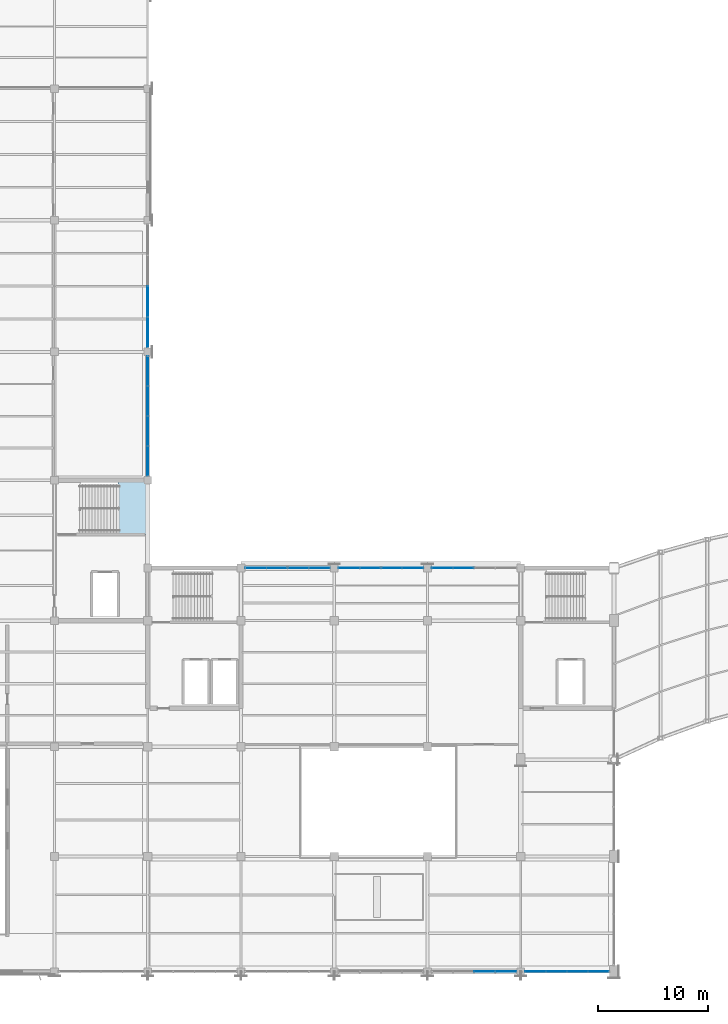
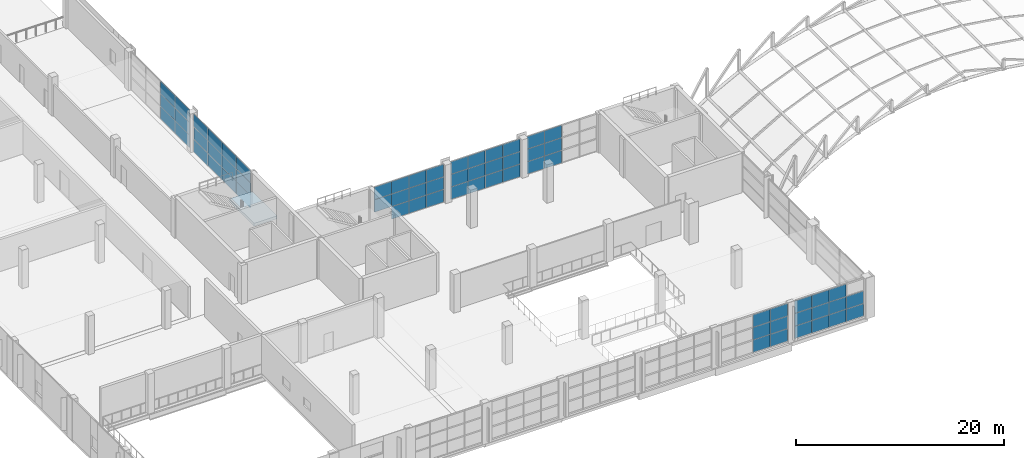
# One storey, part 77 of 101: 64 plates, 1 slab, 8 elements without a shape of their own.
"""IFC4 building model written with IfcOpenShell, lengths in metres."""

from ifc_helpers import new_model, si_unit, direction, frame, origin, origin_2d, place, context, subcontext, project, spatial, polyline, rectangle, outline, extrude, material, layer, layer_set, type_object, element, aggregate, save


model = new_model("IFC4")

# Units and contexts
model_context = context("Model", 3, precision=1e-05, world=origin(), true_north=direction((0.0, 1.0)))
body_context = subcontext(model_context, "Body", "Model", "MODEL_VIEW")
ifc_project = project(units=[si_unit("LENGTHUNIT", "METRE"), si_unit("AREAUNIT", "SQUARE_METRE"), si_unit("VOLUMEUNIT", "CUBIC_METRE"), si_unit("PLANEANGLEUNIT", "RADIAN"), si_unit("MASSUNIT", "GRAM", prefix="KILO")], contexts=[model_context])

# Site, building, storey
site_placement = place(None, origin())
site = spatial("IfcSite", under=ifc_project, at=site_placement, CompositionType="ELEMENT")
building_placement = place(site_placement, origin())
building = spatial("IfcBuilding", under=site, at=building_placement, Name="Solvikara Media Centre", CompositionType="ELEMENT")
storey_placement = place(building_placement, frame((0.0, 0.0, 10.199951171875)))
storey = spatial("IfcBuildingStorey", under=building, at=storey_placement, Name="L02", CompositionType="ELEMENT", Elevation=10.199951171875)

# Curtain wall, plates
ifc_material_1 = material(Name="Anodised aluminium EN AW-6063", Category="aluminium")
curtain_wall_type_1 = type_object("IfcCurtainWallType", Name="CW-04", PredefinedType="NOTDEFINED", material=ifc_material_1)
curtain_wall_1_placement = place(storey_placement, origin())
curtain_wall_1 = element("IfcCurtainWall", 1, at=curtain_wall_1_placement, inside=storey, type_object=curtain_wall_type_1, Name="CW-L02-V6S-4", PredefinedType="NOTDEFINED")
ifc_material_2 = material(Name="Double-glazed low-E architectural glass", Category="glass")
ifc_layer_1 = layer(ifc_material_2, 0.035888671875)
ifc_layer_set_1 = layer_set([ifc_layer_1], Name="Double-glazed low-E architectural glass")
plate_type_1 = type_object("IfcPlateType", Name="PN-06", PredefinedType="CURTAIN_PANEL", material=ifc_layer_set_1)
plate_1_placement = place(storey_placement, frame((64.715087890625, 0.0, 0.034423828125), z_axis=(0.0, 0.0, 1.0), x_axis=(1.0, 0.0, 0.0)))
plate_1 = element("IfcPlate", 2, at=plate_1_placement, type_object=plate_type_1, Name="CW-L02-V6S-4-P0200", PredefinedType="CURTAIN_PANEL", context=body_context, shape_type="SweptSolid", body=[
    extrude(rectangle(XDim=1.89990234375, YDim=0.035888671875, at=origin_2d()), origin(), (0.0, 0.0, 1.0), 1.45703125),
])
plate_2_placement = place(storey_placement, frame((64.715087890625, 0.0, 3.008544921875), z_axis=(0.0, 0.0, 1.0), x_axis=(1.0, 0.0, 0.0)))
plate_2 = element("IfcPlate", 3, at=plate_2_placement, type_object=plate_type_1, Name="CW-L02-V6S-4-P0202", PredefinedType="CURTAIN_PANEL", context=body_context, shape_type="SweptSolid", body=[
    extrude(rectangle(XDim=1.89990234375, YDim=0.035888671875, at=origin_2d()), origin(), (0.0, 0.0, 1.0), 1.45703125),
])
plate_3_placement = place(storey_placement, frame((66.64501953125, 0.0, 1.521484375), z_axis=(0.0, 0.0, 1.0), x_axis=(1.0, 0.0, 0.0)))
plate_3 = element("IfcPlate", 4, at=plate_3_placement, type_object=plate_type_1, Name="CW-L02-V6S-4-P0301", PredefinedType="CURTAIN_PANEL", context=body_context, shape_type="SweptSolid", body=[
    extrude(rectangle(XDim=1.89990234375, YDim=0.035888671875, at=origin_2d()), origin(), (0.0, 0.0, 1.0), 1.45703125),
])

curtain_wall_2_placement = place(storey_placement, origin())
curtain_wall_2 = element("IfcCurtainWall", 5, at=curtain_wall_2_placement, inside=storey, type_object=curtain_wall_type_1, Name="CW-L02-V6S-5", PredefinedType="NOTDEFINED")
plate_4_placement = place(storey_placement, frame((69.34912109375, 0.0, 0.034423828125), z_axis=(0.0, 0.0, 1.0), x_axis=(1.0, 0.0, 0.0)))
plate_4 = element("IfcPlate", 6, at=plate_4_placement, type_object=plate_type_1, Name="CW-L02-V6S-5-P0000", PredefinedType="CURTAIN_PANEL", context=body_context, shape_type="SweptSolid", body=[
    extrude(rectangle(XDim=1.887939453125, YDim=0.035888671875, at=origin_2d()), origin(), (0.0, 0.0, 1.0), 1.45703125),
])
plate_5_placement = place(storey_placement, frame((69.34912109375, 0.0, 3.008544921875), z_axis=(0.0, 0.0, 1.0), x_axis=(1.0, 0.0, 0.0)))
plate_5 = element("IfcPlate", 7, at=plate_5_placement, type_object=plate_type_1, Name="CW-L02-V6S-5-P0002", PredefinedType="CURTAIN_PANEL", context=body_context, shape_type="SweptSolid", body=[
    extrude(rectangle(XDim=1.887939453125, YDim=0.035888671875, at=origin_2d()), origin(), (0.0, 0.0, 1.0), 1.45703125),
])
plate_6_placement = place(storey_placement, frame((71.26611328125, 0.0, 1.521484375), z_axis=(0.0, 0.0, 1.0), x_axis=(1.0, 0.0, 0.0)))
plate_6 = element("IfcPlate", 8, at=plate_6_placement, type_object=plate_type_1, Name="CW-L02-V6S-5-P0101", PredefinedType="CURTAIN_PANEL", context=body_context, shape_type="SweptSolid", body=[
    extrude(rectangle(XDim=1.887939453125, YDim=0.035888671875, at=origin_2d()), origin(), (0.0, 0.0, 1.0), 1.45703125),
])
plate_7_placement = place(storey_placement, frame((73.18408203125, 0.0, 0.034423828125), z_axis=(0.0, 0.0, 1.0), x_axis=(1.0, 0.0, 0.0)))
plate_7 = element("IfcPlate", 9, at=plate_7_placement, type_object=plate_type_1, Name="CW-L02-V6S-5-P0200", PredefinedType="CURTAIN_PANEL", context=body_context, shape_type="SweptSolid", body=[
    extrude(rectangle(XDim=1.887939453125, YDim=0.035888671875, at=origin_2d()), origin(), (0.0, 0.0, 1.0), 1.45703125),
])
plate_8_placement = place(storey_placement, frame((73.18408203125, 0.0, 3.008544921875), z_axis=(0.0, 0.0, 1.0), x_axis=(1.0, 0.0, 0.0)))
plate_8 = element("IfcPlate", 10, at=plate_8_placement, type_object=plate_type_1, Name="CW-L02-V6S-5-P0202", PredefinedType="CURTAIN_PANEL", context=body_context, shape_type="SweptSolid", body=[
    extrude(rectangle(XDim=1.887939453125, YDim=0.035888671875, at=origin_2d()), origin(), (0.0, 0.0, 1.0), 1.45703125),
])
plate_9_placement = place(storey_placement, frame((75.10107421875, 0.0, 1.521484375), z_axis=(0.0, 0.0, 1.0), x_axis=(1.0, 0.0, 0.0)))
plate_9 = element("IfcPlate", 11, at=plate_9_placement, type_object=plate_type_1, Name="CW-L02-V6S-5-P0301", PredefinedType="CURTAIN_PANEL", context=body_context, shape_type="SweptSolid", body=[
    extrude(rectangle(XDim=1.887939453125, YDim=0.035888671875, at=origin_2d()), origin(), (0.0, 0.0, 1.0), 1.45703125),
])

# Plate
ifc_material_3 = material(Name="Insulated silver-pearl glass spandrel panel", Category="glass")
ifc_layer_2 = layer(ifc_material_3, 0.054931640625)
ifc_layer_set_2 = layer_set([ifc_layer_2], Name="Insulated silver-pearl glass spandrel panel")
plate_type_2 = type_object("IfcPlateType", Name="PN-07", PredefinedType="CURTAIN_PANEL", material=ifc_layer_set_2)
plate_10_placement = place(storey_placement, frame((64.715087890625, 0.0, 1.521484375), z_axis=(0.0, 0.0, 1.0), x_axis=(1.0, 0.0, 0.0)))
plate_10 = element("IfcPlate", 12, at=plate_10_placement, type_object=plate_type_2, Name="CW-L02-V6S-4-P0201", PredefinedType="CURTAIN_PANEL", context=body_context, shape_type="SweptSolid", body=[
    extrude(rectangle(XDim=1.89990234375, YDim=0.054931640625, at=origin_2d()), origin(), (0.0, 0.0, 1.0), 1.45703125),
])

plate_11_placement = place(storey_placement, frame((66.64501953125, 0.0, 0.034423828125), z_axis=(0.0, 0.0, 1.0), x_axis=(1.0, 0.0, 0.0)))
plate_11 = element("IfcPlate", 13, at=plate_11_placement, type_object=plate_type_2, Name="CW-L02-V6S-4-P0300", PredefinedType="CURTAIN_PANEL", context=body_context, shape_type="SweptSolid", body=[
    extrude(rectangle(XDim=1.89990234375, YDim=0.054931640625, at=origin_2d()), origin(), (0.0, 0.0, 1.0), 1.45703125),
])

plate_12_placement = place(storey_placement, frame((66.64501953125, 0.0, 3.008544921875), z_axis=(0.0, 0.0, 1.0), x_axis=(1.0, 0.0, 0.0)))
plate_12 = element("IfcPlate", 14, at=plate_12_placement, type_object=plate_type_2, Name="CW-L02-V6S-4-P0302", PredefinedType="CURTAIN_PANEL", context=body_context, shape_type="SweptSolid", body=[
    extrude(rectangle(XDim=1.89990234375, YDim=0.054931640625, at=origin_2d()), origin(), (0.0, 0.0, 1.0), 1.45703125),
])

aggregate(curtain_wall_1, [plate_1, plate_10, plate_2, plate_11, plate_3, plate_12])

plate_13_placement = place(storey_placement, frame((69.34912109375, 0.0, 1.521484375), z_axis=(0.0, 0.0, 1.0), x_axis=(1.0, 0.0, 0.0)))
plate_13 = element("IfcPlate", 15, at=plate_13_placement, type_object=plate_type_2, Name="CW-L02-V6S-5-P0001", PredefinedType="CURTAIN_PANEL", context=body_context, shape_type="SweptSolid", body=[
    extrude(rectangle(XDim=1.887939453125, YDim=0.054931640625, at=origin_2d()), origin(), (0.0, 0.0, 1.0), 1.45703125),
])

plate_14_placement = place(storey_placement, frame((71.26611328125, 0.0, 0.034423828125), z_axis=(0.0, 0.0, 1.0), x_axis=(1.0, 0.0, 0.0)))
plate_14 = element("IfcPlate", 16, at=plate_14_placement, type_object=plate_type_2, Name="CW-L02-V6S-5-P0100", PredefinedType="CURTAIN_PANEL", context=body_context, shape_type="SweptSolid", body=[
    extrude(rectangle(XDim=1.887939453125, YDim=0.054931640625, at=origin_2d()), origin(), (0.0, 0.0, 1.0), 1.45703125),
])

plate_15_placement = place(storey_placement, frame((71.26611328125, 0.0, 3.008544921875), z_axis=(0.0, 0.0, 1.0), x_axis=(1.0, 0.0, 0.0)))
plate_15 = element("IfcPlate", 17, at=plate_15_placement, type_object=plate_type_2, Name="CW-L02-V6S-5-P0102", PredefinedType="CURTAIN_PANEL", context=body_context, shape_type="SweptSolid", body=[
    extrude(rectangle(XDim=1.887939453125, YDim=0.054931640625, at=origin_2d()), origin(), (0.0, 0.0, 1.0), 1.45703125),
])

plate_16_placement = place(storey_placement, frame((73.18408203125, 0.0, 1.521484375), z_axis=(0.0, 0.0, 1.0), x_axis=(1.0, 0.0, 0.0)))
plate_16 = element("IfcPlate", 18, at=plate_16_placement, type_object=plate_type_2, Name="CW-L02-V6S-5-P0201", PredefinedType="CURTAIN_PANEL", context=body_context, shape_type="SweptSolid", body=[
    extrude(rectangle(XDim=1.887939453125, YDim=0.054931640625, at=origin_2d()), origin(), (0.0, 0.0, 1.0), 1.45703125),
])

plate_17_placement = place(storey_placement, frame((75.10107421875, 0.0, 0.034423828125), z_axis=(0.0, 0.0, 1.0), x_axis=(1.0, 0.0, 0.0)))
plate_17 = element("IfcPlate", 19, at=plate_17_placement, type_object=plate_type_2, Name="CW-L02-V6S-5-P0300", PredefinedType="CURTAIN_PANEL", context=body_context, shape_type="SweptSolid", body=[
    extrude(rectangle(XDim=1.887939453125, YDim=0.054931640625, at=origin_2d()), origin(), (0.0, 0.0, 1.0), 1.45703125),
])

aggregate(curtain_wall_2, [plate_4, plate_13, plate_5, plate_14, plate_6, plate_15, plate_7, plate_16, plate_8, plate_17, plate_9])

# Curtain wall, plates
curtain_wall_type_2 = type_object("IfcCurtainWallType", Name="CW-05", PredefinedType="NOTDEFINED", material=ifc_material_1)
curtain_wall_3_placement = place(storey_placement, origin())
curtain_wall_3 = element("IfcCurtainWall", 20, at=curtain_wall_3_placement, inside=storey, type_object=curtain_wall_type_2, Name="CW-L02-V6N-1", PredefinedType="NOTDEFINED")
ifc_material_4 = material(Name="Ceramic-fritted teal low-E glass", Category="glass")
ifc_layer_3 = layer(ifc_material_4, 0.0380859375)
ifc_layer_set_3 = layer_set([ifc_layer_3], Name="Ceramic-fritted teal low-E glass")
plate_type_3 = type_object("IfcPlateType", Name="PN-08", PredefinedType="CURTAIN_PANEL", material=ifc_layer_set_3)
plate_18_placement = place(storey_placement, frame((43.85498046875, 36.800048828125, 3.008544921875), z_axis=(0.0, 0.0, 1.0), x_axis=(1.0, 0.0, 0.0)))
plate_18 = element("IfcPlate", 21, at=plate_18_placement, type_object=plate_type_3, Name="CW-L02-V6N-1-P0002", PredefinedType="CURTAIN_PANEL", context=body_context, shape_type="SweptSolid", body=[
    extrude(rectangle(XDim=1.89990234375, YDim=0.0380859375, at=origin_2d()), origin(), (0.0, 0.0, 1.0), 1.45703125),
])
plate_19_placement = place(storey_placement, frame((45.784912109375, 36.800048828125, 1.521484375), z_axis=(0.0, 0.0, 1.0), x_axis=(1.0, 0.0, 0.0)))
plate_19 = element("IfcPlate", 22, at=plate_19_placement, type_object=plate_type_3, Name="CW-L02-V6N-1-P0101", PredefinedType="CURTAIN_PANEL", context=body_context, shape_type="SweptSolid", body=[
    extrude(rectangle(XDim=1.89990234375, YDim=0.0380859375, at=origin_2d()), origin(), (0.0, 0.0, 1.0), 1.45703125),
])
plate_20_placement = place(storey_placement, frame((47.715087890625, 36.800048828125, 0.034423828125), z_axis=(0.0, 0.0, 1.0), x_axis=(1.0, 0.0, 0.0)))
plate_20 = element("IfcPlate", 23, at=plate_20_placement, type_object=plate_type_3, Name="CW-L02-V6N-1-P0200", PredefinedType="CURTAIN_PANEL", context=body_context, shape_type="SweptSolid", body=[
    extrude(rectangle(XDim=1.89990234375, YDim=0.0380859375, at=origin_2d()), origin(), (0.0, 0.0, 1.0), 1.45703125),
])
plate_21_placement = place(storey_placement, frame((47.715087890625, 36.800048828125, 3.008544921875), z_axis=(0.0, 0.0, 1.0), x_axis=(1.0, 0.0, 0.0)))
plate_21 = element("IfcPlate", 24, at=plate_21_placement, type_object=plate_type_3, Name="CW-L02-V6N-1-P0202", PredefinedType="CURTAIN_PANEL", context=body_context, shape_type="SweptSolid", body=[
    extrude(rectangle(XDim=1.89990234375, YDim=0.0380859375, at=origin_2d()), origin(), (0.0, 0.0, 1.0), 1.45703125),
])
plate_22_placement = place(storey_placement, frame((49.64501953125, 36.800048828125, 1.521484375), z_axis=(0.0, 0.0, 1.0), x_axis=(1.0, 0.0, 0.0)))
plate_22 = element("IfcPlate", 25, at=plate_22_placement, type_object=plate_type_3, Name="CW-L02-V6N-1-P0301", PredefinedType="CURTAIN_PANEL", context=body_context, shape_type="SweptSolid", body=[
    extrude(rectangle(XDim=1.89990234375, YDim=0.0380859375, at=origin_2d()), origin(), (0.0, 0.0, 1.0), 1.45703125),
])

curtain_wall_4_placement = place(storey_placement, origin())
curtain_wall_4 = element("IfcCurtainWall", 26, at=curtain_wall_4_placement, inside=storey, type_object=curtain_wall_type_2, Name="CW-L02-V6N-2", PredefinedType="NOTDEFINED")
plate_23_placement = place(storey_placement, frame((52.35498046875, 36.800048828125, 0.034423828125), z_axis=(0.0, 0.0, 1.0), x_axis=(1.0, 0.0, 0.0)))
plate_23 = element("IfcPlate", 27, at=plate_23_placement, type_object=plate_type_3, Name="CW-L02-V6N-2-P0000", PredefinedType="CURTAIN_PANEL", context=body_context, shape_type="SweptSolid", body=[
    extrude(rectangle(XDim=1.89990234375, YDim=0.0380859375, at=origin_2d()), origin(), (0.0, 0.0, 1.0), 1.45703125),
])
plate_24_placement = place(storey_placement, frame((52.35498046875, 36.800048828125, 3.008544921875), z_axis=(0.0, 0.0, 1.0), x_axis=(1.0, 0.0, 0.0)))
plate_24 = element("IfcPlate", 28, at=plate_24_placement, type_object=plate_type_3, Name="CW-L02-V6N-2-P0002", PredefinedType="CURTAIN_PANEL", context=body_context, shape_type="SweptSolid", body=[
    extrude(rectangle(XDim=1.89990234375, YDim=0.0380859375, at=origin_2d()), origin(), (0.0, 0.0, 1.0), 1.45703125),
])
plate_25_placement = place(storey_placement, frame((54.284912109375, 36.800048828125, 1.521484375), z_axis=(0.0, 0.0, 1.0), x_axis=(1.0, 0.0, 0.0)))
plate_25 = element("IfcPlate", 29, at=plate_25_placement, type_object=plate_type_3, Name="CW-L02-V6N-2-P0101", PredefinedType="CURTAIN_PANEL", context=body_context, shape_type="SweptSolid", body=[
    extrude(rectangle(XDim=1.89990234375, YDim=0.0380859375, at=origin_2d()), origin(), (0.0, 0.0, 1.0), 1.45703125),
])
plate_26_placement = place(storey_placement, frame((56.215087890625, 36.800048828125, 0.034423828125), z_axis=(0.0, 0.0, 1.0), x_axis=(1.0, 0.0, 0.0)))
plate_26 = element("IfcPlate", 30, at=plate_26_placement, type_object=plate_type_3, Name="CW-L02-V6N-2-P0200", PredefinedType="CURTAIN_PANEL", context=body_context, shape_type="SweptSolid", body=[
    extrude(rectangle(XDim=1.89990234375, YDim=0.0380859375, at=origin_2d()), origin(), (0.0, 0.0, 1.0), 1.45703125),
])
plate_27_placement = place(storey_placement, frame((56.215087890625, 36.800048828125, 3.008544921875), z_axis=(0.0, 0.0, 1.0), x_axis=(1.0, 0.0, 0.0)))
plate_27 = element("IfcPlate", 31, at=plate_27_placement, type_object=plate_type_3, Name="CW-L02-V6N-2-P0202", PredefinedType="CURTAIN_PANEL", context=body_context, shape_type="SweptSolid", body=[
    extrude(rectangle(XDim=1.89990234375, YDim=0.0380859375, at=origin_2d()), origin(), (0.0, 0.0, 1.0), 1.45703125),
])
plate_28_placement = place(storey_placement, frame((58.14501953125, 36.800048828125, 1.521484375), z_axis=(0.0, 0.0, 1.0), x_axis=(1.0, 0.0, 0.0)))
plate_28 = element("IfcPlate", 32, at=plate_28_placement, type_object=plate_type_3, Name="CW-L02-V6N-2-P0301", PredefinedType="CURTAIN_PANEL", context=body_context, shape_type="SweptSolid", body=[
    extrude(rectangle(XDim=1.89990234375, YDim=0.0380859375, at=origin_2d()), origin(), (0.0, 0.0, 1.0), 1.45703125),
])

curtain_wall_5_placement = place(storey_placement, origin())
curtain_wall_5 = element("IfcCurtainWall", 33, at=curtain_wall_5_placement, inside=storey, type_object=curtain_wall_type_2, Name="CW-L02-V6N-3", PredefinedType="NOTDEFINED")
plate_29_placement = place(storey_placement, frame((60.85498046875, 36.800048828125, 0.034423828125), z_axis=(0.0, 0.0, 1.0), x_axis=(1.0, 0.0, 0.0)))
plate_29 = element("IfcPlate", 34, at=plate_29_placement, type_object=plate_type_3, Name="CW-L02-V6N-3-P0000", PredefinedType="CURTAIN_PANEL", context=body_context, shape_type="SweptSolid", body=[
    extrude(rectangle(XDim=1.89990234375, YDim=0.0380859375, at=origin_2d()), origin(), (0.0, 0.0, 1.0), 1.45703125),
])
plate_30_placement = place(storey_placement, frame((60.85498046875, 36.800048828125, 3.008544921875), z_axis=(0.0, 0.0, 1.0), x_axis=(1.0, 0.0, 0.0)))
plate_30 = element("IfcPlate", 35, at=plate_30_placement, type_object=plate_type_3, Name="CW-L02-V6N-3-P0002", PredefinedType="CURTAIN_PANEL", context=body_context, shape_type="SweptSolid", body=[
    extrude(rectangle(XDim=1.89990234375, YDim=0.0380859375, at=origin_2d()), origin(), (0.0, 0.0, 1.0), 1.45703125),
])
plate_31_placement = place(storey_placement, frame((62.784912109375, 36.800048828125, 1.521484375), z_axis=(0.0, 0.0, 1.0), x_axis=(1.0, 0.0, 0.0)))
plate_31 = element("IfcPlate", 36, at=plate_31_placement, type_object=plate_type_3, Name="CW-L02-V6N-3-P0101", PredefinedType="CURTAIN_PANEL", context=body_context, shape_type="SweptSolid", body=[
    extrude(rectangle(XDim=1.89990234375, YDim=0.0380859375, at=origin_2d()), origin(), (0.0, 0.0, 1.0), 1.45703125),
])

# Plate
ifc_layer_4 = layer(ifc_material_3, 0.054931640625)
ifc_layer_set_4 = layer_set([ifc_layer_4], Name="Insulated silver-pearl glass spandrel panel")
plate_type_4 = type_object("IfcPlateType", Name="PN-09", PredefinedType="CURTAIN_PANEL", material=ifc_layer_set_4)
plate_32_placement = place(storey_placement, frame((43.85498046875, 36.800048828125, 1.521484375), z_axis=(0.0, 0.0, 1.0), x_axis=(1.0, 0.0, 0.0)))
plate_32 = element("IfcPlate", 37, at=plate_32_placement, type_object=plate_type_4, Name="CW-L02-V6N-1-P0001", PredefinedType="CURTAIN_PANEL", context=body_context, shape_type="SweptSolid", body=[
    extrude(rectangle(XDim=1.89990234375, YDim=0.054931640625, at=origin_2d()), origin(), (0.0, 0.0, 1.0), 1.45703125),
])

plate_33_placement = place(storey_placement, frame((45.784912109375, 36.800048828125, 0.034423828125), z_axis=(0.0, 0.0, 1.0), x_axis=(1.0, 0.0, 0.0)))
plate_33 = element("IfcPlate", 38, at=plate_33_placement, type_object=plate_type_4, Name="CW-L02-V6N-1-P0100", PredefinedType="CURTAIN_PANEL", context=body_context, shape_type="SweptSolid", body=[
    extrude(rectangle(XDim=1.89990234375, YDim=0.054931640625, at=origin_2d()), origin(), (0.0, 0.0, 1.0), 1.45703125),
])

plate_34_placement = place(storey_placement, frame((45.784912109375, 36.800048828125, 3.008544921875), z_axis=(0.0, 0.0, 1.0), x_axis=(1.0, 0.0, 0.0)))
plate_34 = element("IfcPlate", 39, at=plate_34_placement, type_object=plate_type_4, Name="CW-L02-V6N-1-P0102", PredefinedType="CURTAIN_PANEL", context=body_context, shape_type="SweptSolid", body=[
    extrude(rectangle(XDim=1.89990234375, YDim=0.054931640625, at=origin_2d()), origin(), (0.0, 0.0, 1.0), 1.45703125),
])

plate_35_placement = place(storey_placement, frame((47.715087890625, 36.800048828125, 1.521484375), z_axis=(0.0, 0.0, 1.0), x_axis=(1.0, 0.0, 0.0)))
plate_35 = element("IfcPlate", 40, at=plate_35_placement, type_object=plate_type_4, Name="CW-L02-V6N-1-P0201", PredefinedType="CURTAIN_PANEL", context=body_context, shape_type="SweptSolid", body=[
    extrude(rectangle(XDim=1.89990234375, YDim=0.054931640625, at=origin_2d()), origin(), (0.0, 0.0, 1.0), 1.45703125),
])

plate_36_placement = place(storey_placement, frame((49.64501953125, 36.800048828125, 0.034423828125), z_axis=(0.0, 0.0, 1.0), x_axis=(1.0, 0.0, 0.0)))
plate_36 = element("IfcPlate", 41, at=plate_36_placement, type_object=plate_type_4, Name="CW-L02-V6N-1-P0300", PredefinedType="CURTAIN_PANEL", context=body_context, shape_type="SweptSolid", body=[
    extrude(rectangle(XDim=1.89990234375, YDim=0.054931640625, at=origin_2d()), origin(), (0.0, 0.0, 1.0), 1.45703125),
])

plate_37_placement = place(storey_placement, frame((49.64501953125, 36.800048828125, 3.008544921875), z_axis=(0.0, 0.0, 1.0), x_axis=(1.0, 0.0, 0.0)))
plate_37 = element("IfcPlate", 42, at=plate_37_placement, type_object=plate_type_4, Name="CW-L02-V6N-1-P0302", PredefinedType="CURTAIN_PANEL", context=body_context, shape_type="SweptSolid", body=[
    extrude(rectangle(XDim=1.89990234375, YDim=0.054931640625, at=origin_2d()), origin(), (0.0, 0.0, 1.0), 1.45703125),
])

aggregate(curtain_wall_3, [plate_32, plate_18, plate_33, plate_19, plate_34, plate_20, plate_35, plate_21, plate_36, plate_22, plate_37])

plate_38_placement = place(storey_placement, frame((52.35498046875, 36.800048828125, 1.521484375), z_axis=(0.0, 0.0, 1.0), x_axis=(1.0, 0.0, 0.0)))
plate_38 = element("IfcPlate", 43, at=plate_38_placement, type_object=plate_type_4, Name="CW-L02-V6N-2-P0001", PredefinedType="CURTAIN_PANEL", context=body_context, shape_type="SweptSolid", body=[
    extrude(rectangle(XDim=1.89990234375, YDim=0.054931640625, at=origin_2d()), origin(), (0.0, 0.0, 1.0), 1.45703125),
])

plate_39_placement = place(storey_placement, frame((54.284912109375, 36.800048828125, 0.034423828125), z_axis=(0.0, 0.0, 1.0), x_axis=(1.0, 0.0, 0.0)))
plate_39 = element("IfcPlate", 44, at=plate_39_placement, type_object=plate_type_4, Name="CW-L02-V6N-2-P0100", PredefinedType="CURTAIN_PANEL", context=body_context, shape_type="SweptSolid", body=[
    extrude(rectangle(XDim=1.89990234375, YDim=0.054931640625, at=origin_2d()), origin(), (0.0, 0.0, 1.0), 1.45703125),
])

plate_40_placement = place(storey_placement, frame((54.284912109375, 36.800048828125, 3.008544921875), z_axis=(0.0, 0.0, 1.0), x_axis=(1.0, 0.0, 0.0)))
plate_40 = element("IfcPlate", 45, at=plate_40_placement, type_object=plate_type_4, Name="CW-L02-V6N-2-P0102", PredefinedType="CURTAIN_PANEL", context=body_context, shape_type="SweptSolid", body=[
    extrude(rectangle(XDim=1.89990234375, YDim=0.054931640625, at=origin_2d()), origin(), (0.0, 0.0, 1.0), 1.45703125),
])

plate_41_placement = place(storey_placement, frame((56.215087890625, 36.800048828125, 1.521484375), z_axis=(0.0, 0.0, 1.0), x_axis=(1.0, 0.0, 0.0)))
plate_41 = element("IfcPlate", 46, at=plate_41_placement, type_object=plate_type_4, Name="CW-L02-V6N-2-P0201", PredefinedType="CURTAIN_PANEL", context=body_context, shape_type="SweptSolid", body=[
    extrude(rectangle(XDim=1.89990234375, YDim=0.054931640625, at=origin_2d()), origin(), (0.0, 0.0, 1.0), 1.45703125),
])

plate_42_placement = place(storey_placement, frame((58.14501953125, 36.800048828125, 0.034423828125), z_axis=(0.0, 0.0, 1.0), x_axis=(1.0, 0.0, 0.0)))
plate_42 = element("IfcPlate", 47, at=plate_42_placement, type_object=plate_type_4, Name="CW-L02-V6N-2-P0300", PredefinedType="CURTAIN_PANEL", context=body_context, shape_type="SweptSolid", body=[
    extrude(rectangle(XDim=1.89990234375, YDim=0.054931640625, at=origin_2d()), origin(), (0.0, 0.0, 1.0), 1.45703125),
])

plate_43_placement = place(storey_placement, frame((58.14501953125, 36.800048828125, 3.008544921875), z_axis=(0.0, 0.0, 1.0), x_axis=(1.0, 0.0, 0.0)))
plate_43 = element("IfcPlate", 48, at=plate_43_placement, type_object=plate_type_4, Name="CW-L02-V6N-2-P0302", PredefinedType="CURTAIN_PANEL", context=body_context, shape_type="SweptSolid", body=[
    extrude(rectangle(XDim=1.89990234375, YDim=0.054931640625, at=origin_2d()), origin(), (0.0, 0.0, 1.0), 1.45703125),
])

aggregate(curtain_wall_4, [plate_23, plate_38, plate_24, plate_39, plate_25, plate_40, plate_26, plate_41, plate_27, plate_42, plate_28, plate_43])

plate_44_placement = place(storey_placement, frame((60.85498046875, 36.800048828125, 1.521484375), z_axis=(0.0, 0.0, 1.0), x_axis=(1.0, 0.0, 0.0)))
plate_44 = element("IfcPlate", 49, at=plate_44_placement, type_object=plate_type_4, Name="CW-L02-V6N-3-P0001", PredefinedType="CURTAIN_PANEL", context=body_context, shape_type="SweptSolid", body=[
    extrude(rectangle(XDim=1.89990234375, YDim=0.054931640625, at=origin_2d()), origin(), (0.0, 0.0, 1.0), 1.45703125),
])

plate_45_placement = place(storey_placement, frame((62.784912109375, 36.800048828125, 0.034423828125), z_axis=(0.0, 0.0, 1.0), x_axis=(1.0, 0.0, 0.0)))
plate_45 = element("IfcPlate", 50, at=plate_45_placement, type_object=plate_type_4, Name="CW-L02-V6N-3-P0100", PredefinedType="CURTAIN_PANEL", context=body_context, shape_type="SweptSolid", body=[
    extrude(rectangle(XDim=1.89990234375, YDim=0.054931640625, at=origin_2d()), origin(), (0.0, 0.0, 1.0), 1.45703125),
])

plate_46_placement = place(storey_placement, frame((62.784912109375, 36.800048828125, 3.008544921875), z_axis=(0.0, 0.0, 1.0), x_axis=(1.0, 0.0, 0.0)))
plate_46 = element("IfcPlate", 51, at=plate_46_placement, type_object=plate_type_4, Name="CW-L02-V6N-3-P0102", PredefinedType="CURTAIN_PANEL", context=body_context, shape_type="SweptSolid", body=[
    extrude(rectangle(XDim=1.89990234375, YDim=0.054931640625, at=origin_2d()), origin(), (0.0, 0.0, 1.0), 1.45703125),
])

aggregate(curtain_wall_5, [plate_29, plate_44, plate_30, plate_45, plate_31, plate_46])

# Curtain wall, plates
curtain_wall_type_3 = type_object("IfcCurtainWallType", Name="CW-07", PredefinedType="NOTDEFINED", material=ifc_material_1)
curtain_wall_6_placement = place(storey_placement, origin())
curtain_wall_6 = element("IfcCurtainWall", 52, at=curtain_wall_6_placement, inside=storey, type_object=curtain_wall_type_3, Name="CW-L02-V4E-S1", PredefinedType="NOTDEFINED")
ifc_layer_5 = layer(ifc_material_2, 0.035888671875)
ifc_layer_set_5 = layer_set([ifc_layer_5], Name="Double-glazed low-E architectural glass")
plate_type_5 = type_object("IfcPlateType", Name="PN-10", PredefinedType="CURTAIN_PANEL", material=ifc_layer_set_5)
plate_47_placement = place(storey_placement, frame((34.0, 46.554931640625, 0.034423828125), z_axis=(0.0, 0.0, 1.0), x_axis=(0.0, 1.0, 0.0)))
plate_47 = element("IfcPlate", 53, at=plate_47_placement, type_object=plate_type_5, Name="CW-L02-V4E-S1-P0000", PredefinedType="CURTAIN_PANEL", context=body_context, shape_type="SweptSolid", body=[
    extrude(rectangle(XDim=2.699951171875, YDim=0.035888671875, at=origin_2d()), origin(), (0.0, 0.0, 1.0), 1.45703125),
])
plate_48_placement = place(storey_placement, frame((34.0, 46.554931640625, 3.008544921875), z_axis=(0.0, 0.0, 1.0), x_axis=(0.0, 1.0, 0.0)))
plate_48 = element("IfcPlate", 54, at=plate_48_placement, type_object=plate_type_5, Name="CW-L02-V4E-S1-P0002", PredefinedType="CURTAIN_PANEL", context=body_context, shape_type="SweptSolid", body=[
    extrude(rectangle(XDim=2.699951171875, YDim=0.035888671875, at=origin_2d()), origin(), (0.0, 0.0, 1.0), 1.45703125),
])
plate_49_placement = place(storey_placement, frame((34.0, 49.284912109375, 1.521484375), z_axis=(0.0, 0.0, 1.0), x_axis=(0.0, 1.0, 0.0)))
plate_49 = element("IfcPlate", 55, at=plate_49_placement, type_object=plate_type_5, Name="CW-L02-V4E-S1-P0101", PredefinedType="CURTAIN_PANEL", context=body_context, shape_type="SweptSolid", body=[
    extrude(rectangle(XDim=2.699951171875, YDim=0.035888671875, at=origin_2d()), origin(), (0.0, 0.0, 1.0), 1.45703125),
])
plate_50_placement = place(storey_placement, frame((34.0, 52.014892578125, 0.034423828125), z_axis=(0.0, 0.0, 1.0), x_axis=(0.0, 1.0, 0.0)))
plate_50 = element("IfcPlate", 56, at=plate_50_placement, type_object=plate_type_5, Name="CW-L02-V4E-S1-P0200", PredefinedType="CURTAIN_PANEL", context=body_context, shape_type="SweptSolid", body=[
    extrude(rectangle(XDim=2.699951171875, YDim=0.035888671875, at=origin_2d()), origin(), (0.0, 0.0, 1.0), 1.45703125),
])
plate_51_placement = place(storey_placement, frame((34.0, 52.014892578125, 3.008544921875), z_axis=(0.0, 0.0, 1.0), x_axis=(0.0, 1.0, 0.0)))
plate_51 = element("IfcPlate", 57, at=plate_51_placement, type_object=plate_type_5, Name="CW-L02-V4E-S1-P0202", PredefinedType="CURTAIN_PANEL", context=body_context, shape_type="SweptSolid", body=[
    extrude(rectangle(XDim=2.699951171875, YDim=0.035888671875, at=origin_2d()), origin(), (0.0, 0.0, 1.0), 1.45703125),
])
plate_52_placement = place(storey_placement, frame((34.0, 54.7451171875, 1.521484375), z_axis=(0.0, 0.0, 1.0), x_axis=(0.0, 1.0, 0.0)))
plate_52 = element("IfcPlate", 58, at=plate_52_placement, type_object=plate_type_5, Name="CW-L02-V4E-S1-P0301", PredefinedType="CURTAIN_PANEL", context=body_context, shape_type="SweptSolid", body=[
    extrude(rectangle(XDim=2.699951171875, YDim=0.035888671875, at=origin_2d()), origin(), (0.0, 0.0, 1.0), 1.45703125),
])

curtain_wall_7_placement = place(storey_placement, origin())
curtain_wall_7 = element("IfcCurtainWall", 59, at=curtain_wall_7_placement, inside=storey, type_object=curtain_wall_type_3, Name="CW-L02-V4E-S2", PredefinedType="NOTDEFINED")
plate_53_placement = place(storey_placement, frame((34.0, 58.2919921875, 0.034423828125), z_axis=(0.0, 0.0, 1.0), x_axis=(0.0, 1.0, 0.0)))
plate_53 = element("IfcPlate", 60, at=plate_53_placement, type_object=plate_type_5, Name="CW-L02-V4E-S2-P0000", PredefinedType="CURTAIN_PANEL", context=body_context, shape_type="SweptSolid", body=[
    extrude(rectangle(XDim=2.77490234375, YDim=0.035888671875, at=origin_2d()), origin(), (0.0, 0.0, 1.0), 1.45703125),
])
plate_54_placement = place(storey_placement, frame((34.0, 58.2919921875, 3.008544921875), z_axis=(0.0, 0.0, 1.0), x_axis=(0.0, 1.0, 0.0)))
plate_54 = element("IfcPlate", 61, at=plate_54_placement, type_object=plate_type_5, Name="CW-L02-V4E-S2-P0002", PredefinedType="CURTAIN_PANEL", context=body_context, shape_type="SweptSolid", body=[
    extrude(rectangle(XDim=2.77490234375, YDim=0.035888671875, at=origin_2d()), origin(), (0.0, 0.0, 1.0), 1.45703125),
])
plate_55_placement = place(storey_placement, frame((34.0, 61.096923828125, 1.521484375), z_axis=(0.0, 0.0, 1.0), x_axis=(0.0, 1.0, 0.0)))
plate_55 = element("IfcPlate", 62, at=plate_55_placement, type_object=plate_type_5, Name="CW-L02-V4E-S2-P0101", PredefinedType="CURTAIN_PANEL", context=body_context, shape_type="SweptSolid", body=[
    extrude(rectangle(XDim=2.77490234375, YDim=0.035888671875, at=origin_2d()), origin(), (0.0, 0.0, 1.0), 1.45703125),
])

# Plate
ifc_layer_6 = layer(ifc_material_3, 0.054931640625)
ifc_layer_set_6 = layer_set([ifc_layer_6], Name="Insulated silver-pearl glass spandrel panel")
plate_type_6 = type_object("IfcPlateType", Name="PN-11", PredefinedType="CURTAIN_PANEL", material=ifc_layer_set_6)
plate_56_placement = place(storey_placement, frame((34.0, 46.554931640625, 1.521484375), z_axis=(0.0, 0.0, 1.0), x_axis=(0.0, 1.0, 0.0)))
plate_56 = element("IfcPlate", 63, at=plate_56_placement, type_object=plate_type_6, Name="CW-L02-V4E-S1-P0001", PredefinedType="CURTAIN_PANEL", context=body_context, shape_type="SweptSolid", body=[
    extrude(rectangle(XDim=2.699951171875, YDim=0.054931640625, at=origin_2d()), origin(), (0.0, 0.0, 1.0), 1.45703125),
])

plate_57_placement = place(storey_placement, frame((34.0, 49.284912109375, 0.034423828125), z_axis=(0.0, 0.0, 1.0), x_axis=(0.0, 1.0, 0.0)))
plate_57 = element("IfcPlate", 64, at=plate_57_placement, type_object=plate_type_6, Name="CW-L02-V4E-S1-P0100", PredefinedType="CURTAIN_PANEL", context=body_context, shape_type="SweptSolid", body=[
    extrude(rectangle(XDim=2.699951171875, YDim=0.054931640625, at=origin_2d()), origin(), (0.0, 0.0, 1.0), 1.45703125),
])

plate_58_placement = place(storey_placement, frame((34.0, 49.284912109375, 3.008544921875), z_axis=(0.0, 0.0, 1.0), x_axis=(0.0, 1.0, 0.0)))
plate_58 = element("IfcPlate", 65, at=plate_58_placement, type_object=plate_type_6, Name="CW-L02-V4E-S1-P0102", PredefinedType="CURTAIN_PANEL", context=body_context, shape_type="SweptSolid", body=[
    extrude(rectangle(XDim=2.699951171875, YDim=0.054931640625, at=origin_2d()), origin(), (0.0, 0.0, 1.0), 1.45703125),
])

plate_59_placement = place(storey_placement, frame((34.0, 52.014892578125, 1.521484375), z_axis=(0.0, 0.0, 1.0), x_axis=(0.0, 1.0, 0.0)))
plate_59 = element("IfcPlate", 66, at=plate_59_placement, type_object=plate_type_6, Name="CW-L02-V4E-S1-P0201", PredefinedType="CURTAIN_PANEL", context=body_context, shape_type="SweptSolid", body=[
    extrude(rectangle(XDim=2.699951171875, YDim=0.054931640625, at=origin_2d()), origin(), (0.0, 0.0, 1.0), 1.45703125),
])

plate_60_placement = place(storey_placement, frame((34.0, 54.7451171875, 0.034423828125), z_axis=(0.0, 0.0, 1.0), x_axis=(0.0, 1.0, 0.0)))
plate_60 = element("IfcPlate", 67, at=plate_60_placement, type_object=plate_type_6, Name="CW-L02-V4E-S1-P0300", PredefinedType="CURTAIN_PANEL", context=body_context, shape_type="SweptSolid", body=[
    extrude(rectangle(XDim=2.699951171875, YDim=0.054931640625, at=origin_2d()), origin(), (0.0, 0.0, 1.0), 1.45703125),
])

plate_61_placement = place(storey_placement, frame((34.0, 54.7451171875, 3.008544921875), z_axis=(0.0, 0.0, 1.0), x_axis=(0.0, 1.0, 0.0)))
plate_61 = element("IfcPlate", 68, at=plate_61_placement, type_object=plate_type_6, Name="CW-L02-V4E-S1-P0302", PredefinedType="CURTAIN_PANEL", context=body_context, shape_type="SweptSolid", body=[
    extrude(rectangle(XDim=2.699951171875, YDim=0.054931640625, at=origin_2d()), origin(), (0.0, 0.0, 1.0), 1.45703125),
])

aggregate(curtain_wall_6, [plate_47, plate_56, plate_48, plate_57, plate_49, plate_58, plate_50, plate_59, plate_51, plate_60, plate_52, plate_61])

plate_62_placement = place(storey_placement, frame((34.0, 58.2919921875, 1.521484375), z_axis=(0.0, 0.0, 1.0), x_axis=(0.0, 1.0, 0.0)))
plate_62 = element("IfcPlate", 69, at=plate_62_placement, type_object=plate_type_6, Name="CW-L02-V4E-S2-P0001", PredefinedType="CURTAIN_PANEL", context=body_context, shape_type="SweptSolid", body=[
    extrude(rectangle(XDim=2.77490234375, YDim=0.054931640625, at=origin_2d()), origin(), (0.0, 0.0, 1.0), 1.45703125),
])

plate_63_placement = place(storey_placement, frame((34.0, 61.096923828125, 0.034423828125), z_axis=(0.0, 0.0, 1.0), x_axis=(0.0, 1.0, 0.0)))
plate_63 = element("IfcPlate", 70, at=plate_63_placement, type_object=plate_type_6, Name="CW-L02-V4E-S2-P0100", PredefinedType="CURTAIN_PANEL", context=body_context, shape_type="SweptSolid", body=[
    extrude(rectangle(XDim=2.77490234375, YDim=0.054931640625, at=origin_2d()), origin(), (0.0, 0.0, 1.0), 1.45703125),
])

plate_64_placement = place(storey_placement, frame((34.0, 61.096923828125, 3.008544921875), z_axis=(0.0, 0.0, 1.0), x_axis=(0.0, 1.0, 0.0)))
plate_64 = element("IfcPlate", 71, at=plate_64_placement, type_object=plate_type_6, Name="CW-L02-V4E-S2-P0102", PredefinedType="CURTAIN_PANEL", context=body_context, shape_type="SweptSolid", body=[
    extrude(rectangle(XDim=2.77490234375, YDim=0.054931640625, at=origin_2d()), origin(), (0.0, 0.0, 1.0), 1.45703125),
])

aggregate(curtain_wall_7, [plate_53, plate_62, plate_54, plate_63, plate_55, plate_64])

# Stair, slab
ifc_material_5 = material(Name="Concrete fc' 35 MPa (C35/45)", Category="concrete")
stair_type = type_object("IfcStairType", Name="SR-01", PredefinedType="HALF_TURN_STAIR", material=ifc_material_5)
stair_placement = place(storey_placement, origin())
stair = element("IfcStair", 72, at=stair_placement, inside=storey, type_object=stair_type, Name="ST-C1-L02", PredefinedType="HALF_TURN_STAIR")
ifc_layer_7 = layer(ifc_material_5, 0.330078125)
ifc_layer_set_7 = layer_set([ifc_layer_7], Name="Concrete fc' 35 MPa (C35/45)")
slab_type = type_object("IfcSlabType", Name="ST-15", PredefinedType="LANDING", material=ifc_layer_set_7)
slab_placement = place(storey_placement, frame((0.0, 0.0, 2.070068359375)))
slab = element("IfcSlab", 73, at=slab_placement, type_object=slab_type, Name="ST-C1-L02-LND", PredefinedType="LANDING", context=body_context, shape_type="SweptSolid", body=[
    extrude(outline(polyline([(31.300048828125, 39.85009765625), (33.8798828125, 39.85009765625), (33.8798828125, 44.6201171875), (31.300048828125, 44.6201171875), (31.300048828125, 39.85009765625)])), origin(), (0.0, 0.0, 1.0), 0.330078125),
])
aggregate(stair, [slab])

save(model, "model.ifc")
